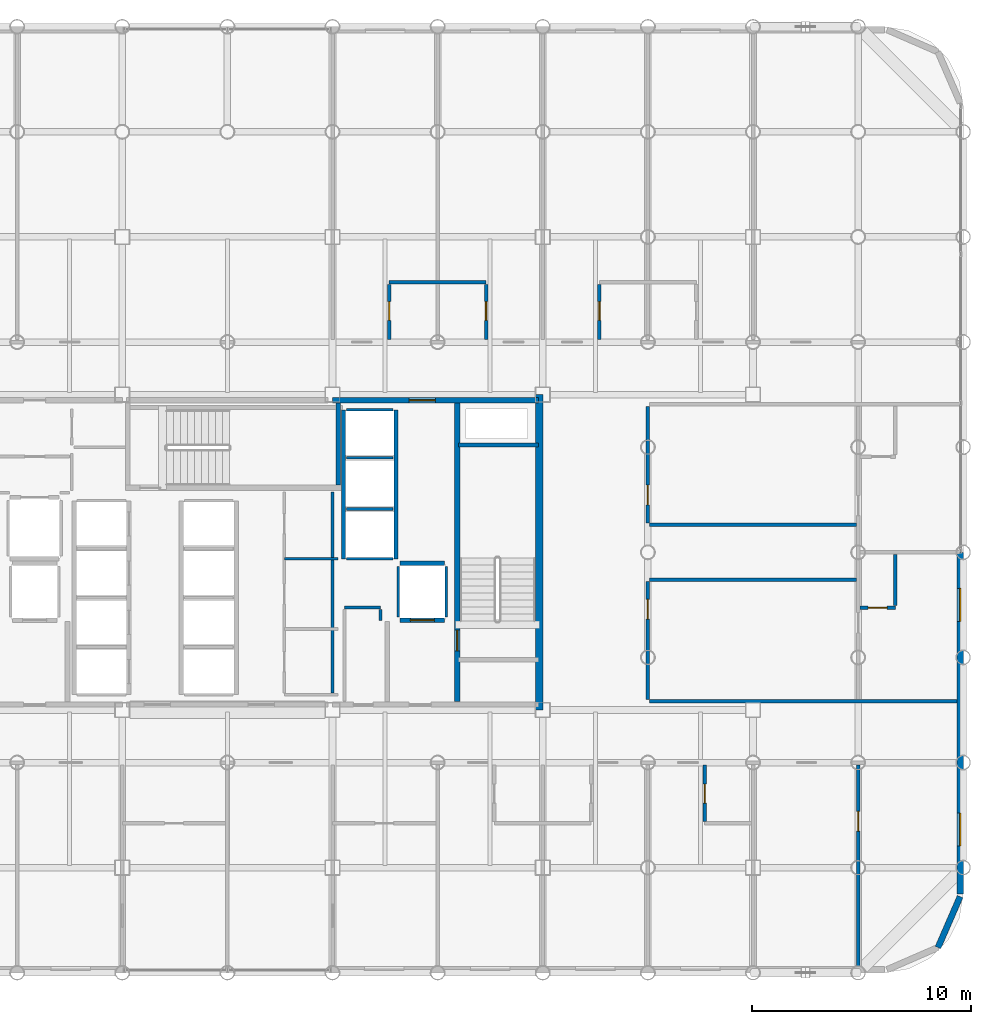
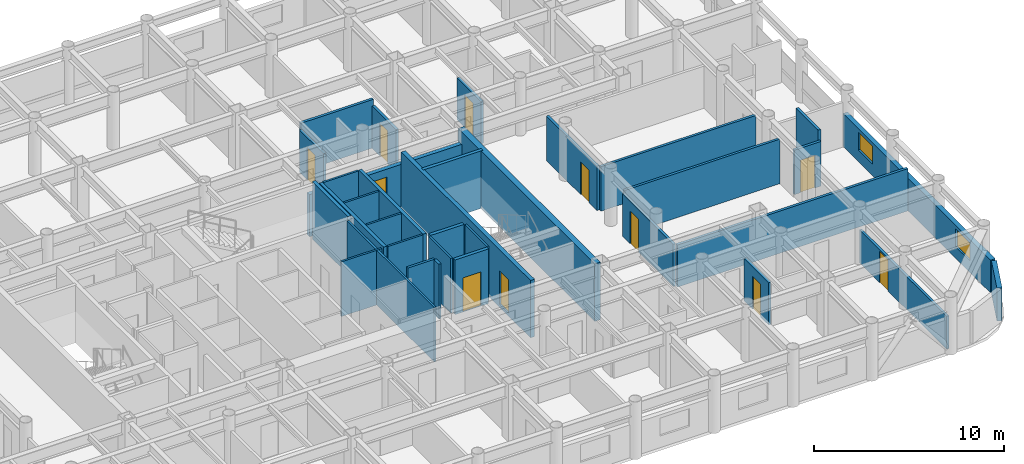
# One storey, part 20 of 22: 34 walls, 11 doors, 2 windows, 13 openings.
"""IFC4 building model written with IfcOpenShell, lengths in metres."""

from ifc_helpers import new_model, si_unit, direction, frame, frame_2d, origin, place, context, subcontext, project, spatial, rectangle, extrude, material, layer, layer_set, type_object, element, fill, save


model = new_model("IFC4")

# Units and contexts
model_context = context("Model", 3, precision=1e-05, world=origin(), true_north=direction((0.0, 1.0)))
body_context = subcontext(model_context, "Body", "Model", "MODEL_VIEW")
ifc_project = project(units=[si_unit("LENGTHUNIT", "METRE"), si_unit("AREAUNIT", "SQUARE_METRE"), si_unit("VOLUMEUNIT", "CUBIC_METRE"), si_unit("PLANEANGLEUNIT", "RADIAN"), si_unit("MASSUNIT", "GRAM", prefix="KILO")], contexts=[model_context])

# Site, building, storey
site_placement = place(None, origin())
site = spatial("IfcSite", under=ifc_project, at=site_placement, CompositionType="ELEMENT")
building_placement = place(site_placement, origin())
building = spatial("IfcBuilding", under=site, at=building_placement, Name="Kallvorn Hotel Tower", CompositionType="ELEMENT")
storey_placement = place(building_placement, frame((0.0, 0.0, 117.39990234375)))
storey = spatial("IfcBuildingStorey", under=building, at=storey_placement, Name="L28", CompositionType="ELEMENT", Elevation=117.39990234375)

# Walls
ifc_material_1 = material(Name="Concrete C50/60", Category="concrete")
ifc_layer_1 = layer(ifc_material_1, 0.35009765625)
ifc_layer_set_1 = layer_set([ifc_layer_1], Name="WL_CORE_350")
wall_type_1 = type_object("IfcWallType", Name="WL_CORE_350", PredefinedType="SHEAR", material=ifc_layer_set_1)
wall_1_placement = place(storey_placement, frame((14.239990234375, -7.199951171875, -0.179931640625), z_axis=(0.0, 0.0, 1.0), x_axis=(0.0, 1.0, 0.0)))
element("IfcWall", 1, at=wall_1_placement, inside=storey, type_object=wall_type_1, Name="L28 Core East Shear Wall", PredefinedType="SHEAR", context=body_context, shape_type="SweptSolid", body=[
    extrude(rectangle(XDim=14.39990234375, YDim=0.35009765625, at=frame_2d((7.199951171875, 0.0))), origin(), (0.0, 0.0, 1.0), 3.699951171875),
])
ifc_material_2 = material(Name="Fire-rated double-layer acoustic gypsum drywall EI 60")
ifc_layer_2 = layer(ifc_material_2, 0.159912109375)
ifc_layer_set_2 = layer_set([ifc_layer_2], Name="WL_DEMISE_160")
wall_type_2 = type_object("IfcWallType", Name="WL_DEMISE_160", PredefinedType="PARTITIONING", material=ifc_layer_set_2)
wall_2_placement = place(storey_placement, frame((19.280029296875, -6.800048828125, 0.0), z_axis=(0.0, 0.0, 1.0), x_axis=(1.0, 0.0, 0.0)))
element("IfcWall", 2, at=wall_2_placement, inside=storey, type_object=wall_type_2, Name="L28 Suite 2801 E Loggia King Room Partition", PredefinedType="PARTITIONING", context=body_context, shape_type="SweptSolid", body=[
    extrude(rectangle(XDim=14.030029296875, YDim=0.159912109375, at=frame_2d((7.01513671875, 0.0))), origin(), (0.0, 0.0, 1.0), 2.72021484375),
])

# Wall, opening, door
wall_3_placement = place(storey_placement, frame((28.8798828125, -2.52490234375, 0.0), z_axis=(0.0, 0.0, 1.0), x_axis=(1.0, 0.0, 0.0)))
wall_3 = element("IfcWall", 3, at=wall_3_placement, inside=storey, type_object=wall_type_2, Name="L28 Suite 2801 E Loggia King Room Partition", PredefinedType="PARTITIONING", context=body_context, shape_type="SweptSolid", body=[
    extrude(rectangle(XDim=1.6201171875, YDim=0.159912109375, at=frame_2d((0.81005859375, 0.0))), origin(), (0.0, 0.0, 1.0), 2.8701171875),
])
opening_1_placement = place(wall_3_placement, frame((0.3798828125, 0.0, 0.0)))
opening_1 = element("IfcOpeningElement", 4, at=opening_1_placement, cuts=wall_3, Name="Opening BD-I", PredefinedType="OPENING", context=body_context, shape_type="SweptSolid", body=[
    extrude(rectangle(XDim=0.860107421875, YDim=2.10009765625, at=frame_2d((0.43017578125, 1.050048828125))), frame((0.0, 0.094970703125, 0.0), z_axis=(0.0, -1.0, 0.0), x_axis=(1.0, 0.0, 0.0)), (0.0, 0.0, 1.0), 0.18994140625),
])
ifc_material_3 = material(Name="Solid-core walnut veneer fire-rated timber door leaf", Category="wood")
door_type_1 = type_object("IfcDoorType", Name="DR_BATH_860x2100", OperationType="NOTDEFINED", PredefinedType="DOOR", material=ifc_material_3)
door_1_placement = place(opening_1_placement, origin())
door_1 = element("IfcDoor", 5, at=door_1_placement, inside=storey, type_object=door_type_1, Name="L28 Suite 2801 En-Suite Bathroom Door", OperationType="SINGLE_SWING_LEFT", OverallHeight=2.10009765625, OverallWidth=0.860107421875, PredefinedType="DOOR", context=body_context, shape_type="SweptSolid", body=[
    extrude(rectangle(XDim=0.860107421875, YDim=2.10009765625, at=frame_2d((0.43017578125, 1.050048828125))), frame((0.0, 0.02490234375, 0.0), z_axis=(0.0, -1.0, 0.0), x_axis=(1.0, 0.0, 0.0)), (0.0, 0.0, 1.0), 0.050048828125),
])
fill(opening_1, door_1)

# Wall
wall_4_placement = place(storey_placement, frame((7.389892578125, 12.320068359375, 0.0), z_axis=(0.0, 0.0, 1.0), x_axis=(1.0, 0.0, 0.0)))
element("IfcWall", 6, at=wall_4_placement, inside=storey, type_object=wall_type_2, Name="L28 Suite 2809 Standard Twin Room Partition", PredefinedType="PARTITIONING", context=body_context, shape_type="SweptSolid", body=[
    extrude(rectangle(XDim=4.420166015625, YDim=0.159912109375, at=frame_2d((2.2099609375, 0.0))), origin(), (0.0, 0.0, 1.0), 3.1201171875),
])

# Wall, opening, door
wall_5_placement = place(storey_placement, frame((7.389892578125, 9.719970703125, 0.0), z_axis=(0.0, 0.0, 1.0), x_axis=(0.0, 1.0, 0.0)))
wall_5 = element("IfcWall", 7, at=wall_5_placement, inside=storey, type_object=wall_type_2, Name="L28 Suite 2809 Standard Twin Room Partition", PredefinedType="PARTITIONING", context=body_context, shape_type="SweptSolid", body=[
    extrude(rectangle(XDim=2.51513671875, YDim=0.159912109375, at=frame_2d((1.257568359375, 0.0))), origin(), (0.0, 0.0, 1.0), 2.72021484375),
])
opening_2_placement = place(wall_5_placement, frame((0.8701171875, 0.0, 0.0)))
opening_2 = element("IfcOpeningElement", 8, at=opening_2_placement, cuts=wall_5, Name="Opening BD-I", PredefinedType="OPENING", context=body_context, shape_type="SweptSolid", body=[
    extrude(rectangle(XDim=0.860107421875, YDim=2.10009765625, at=frame_2d((0.43017578125, 1.050048828125))), frame((0.0, 0.094970703125, 0.0), z_axis=(0.0, -1.0, 0.0), x_axis=(1.0, 0.0, 0.0)), (0.0, 0.0, 1.0), 0.18994140625),
])
door_2_placement = place(opening_2_placement, origin())
door_2 = element("IfcDoor", 9, at=door_2_placement, inside=storey, type_object=door_type_1, Name="L28 Suite 2809 En-Suite Bathroom Door", OperationType="SINGLE_SWING_RIGHT", OverallHeight=2.10009765625, OverallWidth=0.860107421875, PredefinedType="DOOR", context=body_context, shape_type="SweptSolid", body=[
    extrude(rectangle(XDim=0.860107421875, YDim=2.10009765625, at=frame_2d((0.43017578125, 1.050048828125))), frame((0.0, 0.02490234375, 0.0), z_axis=(0.0, -1.0, 0.0), x_axis=(1.0, 0.0, 0.0)), (0.0, 0.0, 1.0), 0.050048828125),
])
fill(opening_2, door_2)

wall_6_placement = place(storey_placement, frame((11.81005859375, 9.719970703125, 0.0), z_axis=(0.0, 0.0, 1.0), x_axis=(0.0, 1.0, 0.0)))
wall_6 = element("IfcWall", 10, at=wall_6_placement, inside=storey, type_object=wall_type_2, Name="L28 Suite 2810 Standard Twin Room Partition", PredefinedType="PARTITIONING", context=body_context, shape_type="SweptSolid", body=[
    extrude(rectangle(XDim=2.51513671875, YDim=0.159912109375, at=frame_2d((1.257568359375, 0.0))), origin(), (0.0, 0.0, 1.0), 2.72021484375),
])
opening_3_placement = place(wall_6_placement, frame((0.8701171875, 0.0, 0.0)))
opening_3 = element("IfcOpeningElement", 11, at=opening_3_placement, cuts=wall_6, Name="Opening BD-I", PredefinedType="OPENING", context=body_context, shape_type="SweptSolid", body=[
    extrude(rectangle(XDim=0.860107421875, YDim=2.10009765625, at=frame_2d((0.43017578125, 1.050048828125))), frame((0.0, 0.094970703125, 0.0), z_axis=(0.0, -1.0, 0.0), x_axis=(1.0, 0.0, 0.0)), (0.0, 0.0, 1.0), 0.18994140625),
])
door_3_placement = place(opening_3_placement, origin())
door_3 = element("IfcDoor", 12, at=door_3_placement, inside=storey, type_object=door_type_1, Name="L28 Suite 2810 En-Suite Bathroom Door", OperationType="SINGLE_SWING_LEFT", OverallHeight=2.10009765625, OverallWidth=0.860107421875, PredefinedType="DOOR", context=body_context, shape_type="SweptSolid", body=[
    extrude(rectangle(XDim=0.860107421875, YDim=2.10009765625, at=frame_2d((0.43017578125, 1.050048828125))), frame((0.0, 0.02490234375, 0.0), z_axis=(0.0, -1.0, 0.0), x_axis=(1.0, 0.0, 0.0)), (0.0, 0.0, 1.0), 0.050048828125),
])
fill(opening_3, door_3)

wall_7_placement = place(storey_placement, frame((16.989990234375, 9.719970703125, 0.0), z_axis=(0.0, 0.0, 1.0), x_axis=(0.0, 1.0, 0.0)))
wall_7 = element("IfcWall", 13, at=wall_7_placement, inside=storey, type_object=wall_type_2, Name="L28 Suite 2811 Standard Twin Room Partition", PredefinedType="PARTITIONING", context=body_context, shape_type="SweptSolid", body=[
    extrude(rectangle(XDim=2.51513671875, YDim=0.159912109375, at=frame_2d((1.257568359375, 0.0))), origin(), (0.0, 0.0, 1.0), 2.72021484375),
])
opening_4_placement = place(wall_7_placement, frame((0.8701171875, 0.0, 0.0)))
opening_4 = element("IfcOpeningElement", 14, at=opening_4_placement, cuts=wall_7, Name="Opening BD-I", PredefinedType="OPENING", context=body_context, shape_type="SweptSolid", body=[
    extrude(rectangle(XDim=0.860107421875, YDim=2.10009765625, at=frame_2d((0.43017578125, 1.050048828125))), frame((0.0, 0.094970703125, 0.0), z_axis=(0.0, -1.0, 0.0), x_axis=(1.0, 0.0, 0.0)), (0.0, 0.0, 1.0), 0.18994140625),
])
door_4_placement = place(opening_4_placement, origin())
door_4 = element("IfcDoor", 15, at=door_4_placement, inside=storey, type_object=door_type_1, Name="L28 Suite 2811 En-Suite Bathroom Door", OperationType="SINGLE_SWING_LEFT", OverallHeight=2.10009765625, OverallWidth=0.860107421875, PredefinedType="DOOR", context=body_context, shape_type="SweptSolid", body=[
    extrude(rectangle(XDim=0.860107421875, YDim=2.10009765625, at=frame_2d((0.43017578125, 1.050048828125))), frame((0.0, 0.02490234375, 0.0), z_axis=(0.0, -1.0, 0.0), x_axis=(1.0, 0.0, 0.0)), (0.0, 0.0, 1.0), 0.050048828125),
])
fill(opening_4, door_4)

wall_8_placement = place(storey_placement, frame((21.7900390625, -12.294921875, 0.0), z_axis=(0.0, 0.0, 1.0), x_axis=(0.0, 1.0, 0.0)))
wall_8 = element("IfcWall", 16, at=wall_8_placement, inside=storey, type_object=wall_type_2, Name="L28 Suite 2807 Deluxe King Room Partition", PredefinedType="PARTITIONING", context=body_context, shape_type="SweptSolid", body=[
    extrude(rectangle(XDim=2.574951171875, YDim=0.159912109375, at=frame_2d((1.28759765625, 0.0))), origin(), (0.0, 0.0, 1.0), 2.72021484375),
])
opening_5_placement = place(wall_8_placement, frame((0.844970703125, 0.0, 0.0)))
opening_5 = element("IfcOpeningElement", 17, at=opening_5_placement, cuts=wall_8, Name="Opening BD-I", PredefinedType="OPENING", context=body_context, shape_type="SweptSolid", body=[
    extrude(rectangle(XDim=0.860107421875, YDim=2.10009765625, at=frame_2d((0.43017578125, 1.050048828125))), frame((0.0, 0.094970703125, 0.0), z_axis=(0.0, -1.0, 0.0), x_axis=(1.0, 0.0, 0.0)), (0.0, 0.0, 1.0), 0.18994140625),
])
door_5_placement = place(opening_5_placement, origin())
door_5 = element("IfcDoor", 18, at=door_5_placement, inside=storey, type_object=door_type_1, Name="L28 Suite 2807 En-Suite Bathroom Door", OperationType="SINGLE_SWING_RIGHT", OverallHeight=2.10009765625, OverallWidth=0.860107421875, PredefinedType="DOOR", context=body_context, shape_type="SweptSolid", body=[
    extrude(rectangle(XDim=0.860107421875, YDim=2.10009765625, at=frame_2d((0.43017578125, 1.050048828125))), frame((0.0, 0.02490234375, 0.0), z_axis=(0.0, -1.0, 0.0), x_axis=(1.0, 0.0, 0.0)), (0.0, 0.0, 1.0), 0.050048828125),
])
fill(opening_5, door_5)

# Walls
wall_9_placement = place(storey_placement, frame((30.5, -2.43994140625, 0.0), z_axis=(0.0, 0.0, 1.0), x_axis=(0.0, 1.0, 0.0)))
element("IfcWall", 19, at=wall_9_placement, inside=storey, type_object=wall_type_2, Name="L28 Suite 2801 E Loggia King Room Partition", PredefinedType="PARTITIONING", context=body_context, shape_type="SweptSolid", body=[
    extrude(rectangle(XDim=2.33984375, YDim=0.159912109375, at=frame_2d((1.169921875, 0.0))), origin(), (0.0, 0.0, 1.0), 3.52001953125),
])
ifc_material_4 = material(Name="Precast basalt-clad insulated concrete wall C40/50", Category="masonry")
ifc_layer_3 = layer(ifc_material_4, 0.280029296875)
ifc_layer_set_3 = layer_set([ifc_layer_3], Name="WL_EXT_LOGGIA_280")
wall_type_3 = type_object("IfcWallType", Name="WL_EXT_LOGGIA_280", PredefinedType="SOLIDWALL", material=ifc_layer_set_3)
wall_10_placement = place(storey_placement, frame((32.446533203125, -18.046630859375, 0.0), z_axis=(0.0, 0.0, 1.0), x_axis=(0.398792985289, 0.917040977756, 0.0)))
element("IfcWall", 20, at=wall_10_placement, inside=storey, type_object=wall_type_3, Name="L28 Rounded Corner Exterior Wall SE2", PredefinedType="SOLIDWALL", context=body_context, shape_type="SweptSolid", body=[
    extrude(rectangle(XDim=2.536376953125, YDim=0.280029296875, at=frame_2d((1.26806640625, 0.0))), origin(), (0.0, 0.0, 1.0), 2.1201171875),
])

# Wall, openings, windows
wall_11_placement = place(storey_placement, frame((33.4599609375, -15.60009765625, 0.0), z_axis=(0.0, 0.0, 1.0), x_axis=(0.0, 1.0, 0.0)))
wall_11 = element("IfcWall", 21, at=wall_11_placement, inside=storey, type_object=wall_type_3, Name="L28 Exterior Envelope Wall EW-L28-ES", PredefinedType="SOLIDWALL", context=body_context, shape_type="SweptSolid", body=[
    extrude(rectangle(XDim=15.580078125, YDim=0.280029296875, at=frame_2d((7.7900390625, 0.0))), origin(), (0.0, 0.0, 1.0), 2.1201171875),
])
opening_6_placement = place(wall_11_placement, frame((2.18994140625, 0.0, 0.75)))
opening_6 = element("IfcOpeningElement", 22, at=opening_6_placement, cuts=wall_11, Name="Opening W05A", PredefinedType="OPENING", context=body_context, shape_type="SweptSolid", body=[
    extrude(rectangle(XDim=1.5, YDim=1.14990234375, at=frame_2d((0.75, 0.574951171875))), frame((0.0, 0.155029296875, 0.0), z_axis=(0.0, -1.0, 0.0), x_axis=(1.0, 0.0, 0.0)), (0.0, 0.0, 1.0), 0.31005859375),
])
opening_7_placement = place(wall_11_placement, frame((12.449951171875, 0.0, 0.75)))
opening_7 = element("IfcOpeningElement", 23, at=opening_7_placement, cuts=wall_11, Name="Opening W05A", PredefinedType="OPENING", context=body_context, shape_type="SweptSolid", body=[
    extrude(rectangle(XDim=1.5, YDim=1.14990234375, at=frame_2d((0.75, 0.574951171875))), frame((0.0, 0.155029296875, 0.0), z_axis=(0.0, -1.0, 0.0), x_axis=(1.0, 0.0, 0.0)), (0.0, 0.0, 1.0), 0.31005859375),
])
ifc_material_5 = material(Name="Double-glazed low-e solar-control dark glass", Category="glass")
window_type = type_object("IfcWindowType", Name="WN_HTL_1500x1150", PartitioningType="SINGLE_PANEL", PredefinedType="WINDOW", material=ifc_material_5)
window_1_placement = place(opening_6_placement, origin())
window_1 = element("IfcWindow", 24, at=window_1_placement, inside=storey, type_object=window_type, Name="L28 Flank Wing Window 02", OverallHeight=1.14990234375, OverallWidth=1.5, PartitioningType="SINGLE_PANEL", PredefinedType="WINDOW", context=body_context, shape_type="SweptSolid", body=[
    extrude(rectangle(XDim=1.5, YDim=1.14990234375, at=frame_2d((0.75, 0.574951171875))), frame((0.0, 0.030029296875, 0.0), z_axis=(0.0, -1.0, 0.0), x_axis=(1.0, 0.0, 0.0)), (0.0, 0.0, 1.0), 0.06005859375),
])
fill(opening_6, window_1)
window_2_placement = place(opening_7_placement, origin())
window_2 = element("IfcWindow", 25, at=window_2_placement, inside=storey, type_object=window_type, Name="L28 Flank Wing Window 03", OverallHeight=1.14990234375, OverallWidth=1.5, PartitioningType="SINGLE_PANEL", PredefinedType="WINDOW", context=body_context, shape_type="SweptSolid", body=[
    extrude(rectangle(XDim=1.5, YDim=1.14990234375, at=frame_2d((0.75, 0.574951171875))), frame((0.0, 0.030029296875, 0.0), z_axis=(0.0, -1.0, 0.0), x_axis=(1.0, 0.0, 0.0)), (0.0, 0.0, 1.0), 0.06005859375),
])
fill(opening_7, window_2)

# Walls
ifc_material_6 = material(Name="Concrete C40/50", Category="concrete")
ifc_layer_4 = layer(ifc_material_6, 0.199951171875)
ifc_layer_set_4 = layer_set([ifc_layer_4], Name="WL_HOIST_200")
wall_type_4 = type_object("IfcWallType", Name="WL_HOIST_200", PredefinedType="SOLIDWALL", material=ifc_layer_set_4)
wall_12_placement = place(storey_placement, frame((10.550048828125, 4.89990234375, -0.179931640625), z_axis=(0.0, 0.0, 1.0), x_axis=(1.0, 0.0, 0.0)))
element("IfcWall", 26, at=wall_12_placement, inside=storey, type_object=wall_type_4, Name="L28 Stair ST2 North Wall", PredefinedType="SOLIDWALL", context=body_context, shape_type="SweptSolid", body=[
    extrude(rectangle(XDim=3.64990234375, YDim=0.199951171875, at=frame_2d((1.824951171875, 0.0))), origin(), (0.0, 0.0, 1.0), 3.699951171875),
])
wall_13_placement = place(storey_placement, frame((5.06005859375, 3.080078125, -0.179931640625), z_axis=(0.0, 0.0, 1.0), x_axis=(0.0, 1.0, 0.0)))
element("IfcWall", 27, at=wall_13_placement, inside=storey, type_object=wall_type_4, Name="L28 Stair ST3 East Wall", PredefinedType="SOLIDWALL", context=body_context, shape_type="SweptSolid", body=[
    extrude(rectangle(XDim=3.739990234375, YDim=0.199951171875, at=frame_2d((1.8701171875, 0.0))), origin(), (0.0, 0.0, 1.0), 3.699951171875),
])
for number, where, z_axis, x_axis, name in (
    (28, (7.699951171875, -0.300048828125, 0.0), (0.0, 0.0, 1.0), (0.0, 1.0, 0.0), "L28 Lift Bank OBS Landing Wall"),
    (29, (5.300048828125, -0.300048828125, 0.0), (0.0, 0.0, 1.0), (0.0, 1.0, 0.0), "L28 Lift Bank OBS Rear Shaft Wall"),
):
    element("IfcWall", number, at=place(storey_placement, frame(where, z_axis=z_axis, x_axis=x_axis)), inside=storey, type_object=wall_type_4, Name=name, PredefinedType="SOLIDWALL", context=body_context, shape_type="SweptSolid", body=[
        extrude(rectangle(XDim=6.800048828125, YDim=0.199951171875, at=frame_2d((3.39990234375, 0.0))), origin(), (0.0, 0.0, 1.0), 3.52001953125),
    ])

# Wall, opening, door
wall_14_placement = place(storey_placement, frame((7.8798828125, -3.10009765625, 0.0), z_axis=(0.0, 0.0, 1.0), x_axis=(1.0, 0.0, 0.0)))
wall_14 = element("IfcWall", 30, at=wall_14_placement, inside=storey, type_object=wall_type_4, Name="L28 FL-2 Landing Wall", PredefinedType="SOLIDWALL", context=body_context, shape_type="SweptSolid", body=[
    extrude(rectangle(XDim=2.0400390625, YDim=0.199951171875, at=frame_2d((1.02001953125, 0.0))), origin(), (0.0, 0.0, 1.0), 3.52001953125),
])
opening_8_placement = place(wall_14_placement, frame((0.469970703125, 0.0, 0.0)))
opening_8 = element("IfcOpeningElement", 31, at=opening_8_placement, cuts=wall_14, Name="Opening LD-FL-2", PredefinedType="OPENING", context=body_context, shape_type="SweptSolid", body=[
    extrude(rectangle(XDim=1.10009765625, YDim=2.199951171875, at=frame_2d((0.550048828125, 1.10009765625))), frame((0.0, 0.114990234375, 0.0), z_axis=(0.0, -1.0, 0.0), x_axis=(1.0, 0.0, 0.0)), (0.0, 0.0, 1.0), 0.22998046875),
])
ifc_material_7 = material(Name="Brushed stainless-steel automatic sliding lift landing door", Category="steel")
door_type_2 = type_object("IfcDoorType", Name="LD_PASS_1100x2200", OperationType="SLIDING_TO_LEFT", PredefinedType="DOOR", material=ifc_material_7)
door_6_placement = place(opening_8_placement, origin())
door_6 = element("IfcDoor", 32, at=door_6_placement, inside=storey, type_object=door_type_2, Name="L28 Lift Landing Sliding Door LD-FL-2", OperationType="SLIDING_TO_LEFT", OverallHeight=2.199951171875, OverallWidth=1.10009765625, PredefinedType="DOOR", context=body_context, shape_type="SweptSolid", body=[
    extrude(rectangle(XDim=1.10009765625, YDim=2.199951171875, at=frame_2d((0.550048828125, 1.10009765625))), frame((0.0, 0.02490234375, 0.0), z_axis=(0.0, -1.0, 0.0), x_axis=(1.0, 0.0, 0.0)), (0.0, 0.0, 1.0), 0.050048828125),
])
fill(opening_8, door_6)

# Walls
wall_15_placement = place(storey_placement, frame((7.8798828125, -0.5, 0.0), z_axis=(0.0, 0.0, 1.0), x_axis=(1.0, 0.0, 0.0)))
element("IfcWall", 33, at=wall_15_placement, inside=storey, type_object=wall_type_4, Name="L28 FL-2 Rear Shaft Wall", PredefinedType="SOLIDWALL", context=body_context, shape_type="SweptSolid", body=[
    extrude(rectangle(XDim=2.0400390625, YDim=0.199951171875, at=frame_2d((1.02001953125, 0.0))), origin(), (0.0, 0.0, 1.0), 3.52001953125),
])
ifc_material_8 = material(Name="Fire-rated double-layer acoustic gypsum drywall EI 60")
ifc_layer_5 = layer(ifc_material_8, 0.1201171875)
ifc_layer_set_5 = layer_set([ifc_layer_5], Name="WL_INT_120")
wall_type_5 = type_object("IfcWallType", Name="WL_INT_120", PredefinedType="PARTITIONING", material=ifc_layer_set_5)
for number, where, z_axis, x_axis, name in (
    (34, (5.43994140625, -0.300048828125, 0.0), (0.0, 0.0, 1.0), (1.0, 0.0, 0.0), "L28 Lift Bank OBS South Closure Wall"),
    (35, (5.43994140625, 1.97509765625, 0.0), (0.0, 0.0, 1.0), (1.0, 0.0, 0.0), "L28 OB-01 Hoistway Divider"),
    (36, (5.43994140625, 4.324951171875, 0.0), (0.0, 0.0, 1.0), (1.0, 0.0, 0.0), "L28 OB-02 Hoistway Divider"),
    (37, (5.43994140625, 6.5, 0.0), (0.0, 0.0, 1.0), (1.0, 0.0, 0.0), "L28 OB-03 Hoistway Divider"),
):
    element("IfcWall", number, at=place(storey_placement, frame(where, z_axis=z_axis, x_axis=x_axis)), inside=storey, type_object=wall_type_5, Name=name, PredefinedType="PARTITIONING", context=body_context, shape_type="SweptSolid", body=[
        extrude(rectangle(XDim=2.1201171875, YDim=0.1201171875, at=frame_2d((1.06005859375, 0.0))), origin(), (0.0, 0.0, 1.0), 3.52001953125),
    ])
for number, where, z_axis, x_axis, name in (
    (38, (7.800048828125, -2.9599609375, 0.0), (0.0, 0.0, 1.0), (0.0, 1.0, 0.0), "L28 FL-2 West Shaft Wall"),
    (39, (10.0, -2.9599609375, 0.0), (0.0, 0.0, 1.0), (0.0, 1.0, 0.0), "L28 FL-2 East Shaft Wall"),
):
    element("IfcWall", number, at=place(storey_placement, frame(where, z_axis=z_axis, x_axis=x_axis)), inside=storey, type_object=wall_type_5, Name=name, PredefinedType="PARTITIONING", context=body_context, shape_type="SweptSolid", body=[
        extrude(rectangle(XDim=2.320068359375, YDim=0.1201171875, at=frame_2d((1.16015625, 0.0))), origin(), (0.0, 0.0, 1.0), 3.52001953125),
    ])
wall_16_placement = place(storey_placement, frame((2.60009765625, -0.300048828125, 0.0), z_axis=(0.0, 0.0, 1.0), x_axis=(1.0, 0.0, 0.0)))
element("IfcWall", 40, at=wall_16_placement, inside=storey, type_object=wall_type_5, Name="L28 East Core Cleaners Room Partition", PredefinedType="PARTITIONING", context=body_context, shape_type="SweptSolid", body=[
    extrude(rectangle(XDim=2.449951171875, YDim=0.1201171875, at=frame_2d((1.22509765625, 0.0))), origin(), (0.0, 0.0, 1.0), 3.52001953125),
])
wall_17_placement = place(storey_placement, frame((4.800048828125, -6.4150390625, 0.0), z_axis=(0.0, 0.0, 1.0), x_axis=(0.0, 1.0, 0.0)))
element("IfcWall", 41, at=wall_17_placement, inside=storey, type_object=wall_type_5, Name="L28 East Core Minibar Store Partition", PredefinedType="PARTITIONING", context=body_context, shape_type="SweptSolid", body=[
    extrude(rectangle(XDim=9.1650390625, YDim=0.1201171875, at=frame_2d((4.58251953125, 0.0))), origin(), (0.0, 0.0, 1.0), 3.52001953125),
])
ifc_material_9 = material(Name="Fire-rated double-layer acoustic gypsum drywall EI 60")
ifc_layer_6 = layer(ifc_material_9, 0.14990234375)
ifc_layer_set_6 = layer_set([ifc_layer_6], Name="WL_PART_150")
wall_type_6 = type_object("IfcWallType", Name="WL_PART_150", PredefinedType="PARTITIONING", material=ifc_layer_set_6)
for number, where, z_axis, x_axis, name in (
    (42, (19.280029296875, -1.260009765625, 0.0), (0.0, 0.0, 1.0), (1.0, 0.0, 0.0), "L28 L28 East Inner Club Bar Partition"),
    (43, (19.280029296875, 1.260009765625, 0.0), (0.0, 0.0, 1.0), (1.0, 0.0, 0.0), "L28 L28 East Inner Screening Salon Partition"),
):
    element("IfcWall", number, at=place(storey_placement, frame(where, z_axis=z_axis, x_axis=x_axis)), inside=storey, type_object=wall_type_6, Name=name, PredefinedType="PARTITIONING", context=body_context, shape_type="SweptSolid", body=[
        extrude(rectangle(XDim=9.43994140625, YDim=0.14990234375, at=frame_2d((4.719970703125, 0.0))), origin(), (0.0, 0.0, 1.0), 2.8701171875),
    ])

# Wall, opening, door
wall_18_placement = place(storey_placement, frame((19.199951171875, -6.715087890625, 0.0), z_axis=(0.0, 0.0, 1.0), x_axis=(0.0, 1.0, 0.0)))
wall_18 = element("IfcWall", 44, at=wall_18_placement, inside=storey, type_object=wall_type_6, Name="L28 L28 East Inner Club Bar Partition", PredefinedType="PARTITIONING", context=body_context, shape_type="SweptSolid", body=[
    extrude(rectangle(XDim=5.3701171875, YDim=0.14990234375, at=frame_2d((2.68505859375, 0.0))), origin(), (0.0, 0.0, 1.0), 2.72021484375),
])
opening_9_placement = place(wall_18_placement, frame((3.66015625, 0.0, 0.0)))
opening_9 = element("IfcOpeningElement", 45, at=opening_9_placement, cuts=wall_18, Name="Opening SVD1", PredefinedType="OPENING", context=body_context, shape_type="SweptSolid", body=[
    extrude(rectangle(XDim=0.89990234375, YDim=2.10009765625, at=frame_2d((0.449951171875, 1.050048828125))), frame((0.0, 0.08984375, 0.0), z_axis=(0.0, -1.0, 0.0), x_axis=(1.0, 0.0, 0.0)), (0.0, 0.0, 1.0), 0.179931640625),
])
ifc_material_10 = material(Name="Galvanised painted steel fire-rated door assembly", Category="steel")
door_type_3 = type_object("IfcDoorType", Name="DR_SERV_900x2100", OperationType="NOTDEFINED", PredefinedType="DOOR", material=ifc_material_10)
door_7_placement = place(opening_9_placement, origin())
door_7 = element("IfcDoor", 46, at=door_7_placement, inside=storey, type_object=door_type_3, Name="L28 L28 East Inner Club Bar Door", OperationType="SINGLE_SWING_RIGHT", OverallHeight=2.10009765625, OverallWidth=0.89990234375, PredefinedType="DOOR", context=body_context, shape_type="SweptSolid", body=[
    extrude(rectangle(XDim=0.89990234375, YDim=2.10009765625, at=frame_2d((0.449951171875, 1.050048828125))), frame((0.0, 0.02490234375, 0.0), z_axis=(0.0, -1.0, 0.0), x_axis=(1.0, 0.0, 0.0)), (0.0, 0.0, 1.0), 0.050048828125),
])
fill(opening_9, door_7)

wall_19_placement = place(storey_placement, frame((19.199951171875, 1.344970703125, 0.0), z_axis=(0.0, 0.0, 1.0), x_axis=(0.0, 1.0, 0.0)))
wall_19 = element("IfcWall", 47, at=wall_19_placement, inside=storey, type_object=wall_type_6, Name="L28 L28 East Inner Screening Salon Partition", PredefinedType="PARTITIONING", context=body_context, shape_type="SweptSolid", body=[
    extrude(rectangle(XDim=5.320068359375, YDim=0.14990234375, at=frame_2d((2.66015625, 0.0))), origin(), (0.0, 0.0, 1.0), 2.8701171875),
])
opening_10_placement = place(wall_19_placement, frame((0.81689453125, 0.0, 0.0)))
opening_10 = element("IfcOpeningElement", 48, at=opening_10_placement, cuts=wall_19, Name="Opening SVD1", PredefinedType="OPENING", context=body_context, shape_type="SweptSolid", body=[
    extrude(rectangle(XDim=0.89990234375, YDim=2.10009765625, at=frame_2d((0.449951171875, 1.050048828125))), frame((0.0, 0.08984375, 0.0), z_axis=(0.0, -1.0, 0.0), x_axis=(1.0, 0.0, 0.0)), (0.0, 0.0, 1.0), 0.179931640625),
])
door_8_placement = place(opening_10_placement, origin())
door_8 = element("IfcDoor", 49, at=door_8_placement, inside=storey, type_object=door_type_3, Name="L28 L28 East Inner Screening Salon Door", OperationType="SINGLE_SWING_LEFT", OverallHeight=2.10009765625, OverallWidth=0.89990234375, PredefinedType="DOOR", context=body_context, shape_type="SweptSolid", body=[
    extrude(rectangle(XDim=0.89990234375, YDim=2.10009765625, at=frame_2d((0.449951171875, 1.050048828125))), frame((0.0, 0.02490234375, 0.0), z_axis=(0.0, -1.0, 0.0), x_axis=(1.0, 0.0, 0.0)), (0.0, 0.0, 1.0), 0.050048828125),
])
fill(opening_10, door_8)

wall_20_placement = place(storey_placement, frame((28.800048828125, -18.909912109375, 0.0), z_axis=(0.0, 0.0, 1.0), x_axis=(0.0, 1.0, 0.0)))
wall_20 = element("IfcWall", 50, at=wall_20_placement, inside=storey, type_object=wall_type_6, Name="L28 L28 South-East Sommelier Bar A Partition", PredefinedType="PARTITIONING", context=body_context, shape_type="SweptSolid", body=[
    extrude(rectangle(XDim=9.18994140625, YDim=0.14990234375, at=frame_2d((4.594970703125, 0.0))), origin(), (0.0, 0.0, 1.0), 2.1201171875),
])
opening_11_placement = place(wall_20_placement, frame((6.18212890625, 0.0, 0.0)))
opening_11 = element("IfcOpeningElement", 51, at=opening_11_placement, cuts=wall_20, Name="Opening SVD1A", PredefinedType="OPENING", context=body_context, shape_type="SweptSolid", body=[
    extrude(rectangle(XDim=0.89990234375, YDim=2.02001953125, at=frame_2d((0.449951171875, 1.010009765625))), frame((0.0, 0.08984375, 0.0), z_axis=(0.0, -1.0, 0.0), x_axis=(1.0, 0.0, 0.0)), (0.0, 0.0, 1.0), 0.179931640625),
])
ifc_material_11 = material(Name="Galvanised painted steel fire-rated door assembly", Category="steel")
door_type_4 = type_object("IfcDoorType", Name="DR_SERV_900x2020", OperationType="NOTDEFINED", PredefinedType="DOOR", material=ifc_material_11)
door_9_placement = place(opening_11_placement, origin())
door_9 = element("IfcDoor", 52, at=door_9_placement, inside=storey, type_object=door_type_4, Name="L28 L28 South-East Sommelier Bar B Door", OperationType="SINGLE_SWING_LEFT", OverallHeight=2.02001953125, OverallWidth=0.89990234375, PredefinedType="DOOR", context=body_context, shape_type="SweptSolid", body=[
    extrude(rectangle(XDim=0.89990234375, YDim=2.02001953125, at=frame_2d((0.449951171875, 1.010009765625))), frame((0.0, 0.02490234375, 0.0), z_axis=(0.0, -1.0, 0.0), x_axis=(1.0, 0.0, 0.0)), (0.0, 0.0, 1.0), 0.050048828125),
])
fill(opening_11, door_9)

# Walls
ifc_material_12 = material(Name="Moisture-resistant acoustic plumbing chase wall EI 60")
ifc_layer_7 = layer(ifc_material_12, 0.139892578125)
ifc_layer_set_7 = layer_set([ifc_layer_7], Name="WL_PLUMB_140")
wall_type_7 = type_object("IfcWallType", Name="WL_PLUMB_140", PredefinedType="PLUMBINGWALL", material=ifc_layer_set_7)
wall_21_placement = place(storey_placement, frame((5.35009765625, -2.52490234375, 0.0), z_axis=(0.0, 0.0, 1.0), x_axis=(1.0, 0.0, 0.0)))
element("IfcWall", 53, at=wall_21_placement, inside=storey, type_object=wall_type_7, Name="L28 Core Accessible Staff WC Partition", PredefinedType="PLUMBINGWALL", context=body_context, shape_type="SweptSolid", body=[
    extrude(rectangle(XDim=1.64990234375, YDim=0.139892578125, at=frame_2d((0.824951171875, 0.0))), origin(), (0.0, 0.0, 1.0), 3.52001953125),
])
wall_22_placement = place(storey_placement, frame((7.0, -3.110107421875, 0.0), z_axis=(0.0, 0.0, 1.0), x_axis=(0.0, 1.0, 0.0)))
element("IfcWall", 54, at=wall_22_placement, inside=storey, type_object=wall_type_7, Name="L28 Core Accessible Staff WC Partition", PredefinedType="PLUMBINGWALL", context=body_context, shape_type="SweptSolid", body=[
    extrude(rectangle(XDim=0.5, YDim=0.139892578125, at=frame_2d((0.25, 0.0))), origin(), (0.0, 0.0, 1.0), 3.52001953125),
])

# Wall, opening, door
ifc_material_13 = material(Name="Concrete C40/50", Category="concrete")
ifc_layer_8 = layer(ifc_material_13, 0.25)
ifc_layer_set_8 = layer_set([ifc_layer_8], Name="WL_SHAFT_250")
wall_type_8 = type_object("IfcWallType", Name="WL_SHAFT_250", PredefinedType="SOLIDWALL", material=ifc_layer_set_8)
wall_23_placement = place(storey_placement, frame((4.800048828125, 6.949951171875, 0.0), z_axis=(0.0, 0.0, 1.0), x_axis=(1.0, 0.0, 0.0)))
wall_23 = element("IfcWall", 55, at=wall_23_placement, inside=storey, type_object=wall_type_8, Name="L28 Core North-East Wall", PredefinedType="SOLIDWALL", context=body_context, shape_type="SweptSolid", body=[
    extrude(rectangle(XDim=9.39990234375, YDim=0.25, at=frame_2d((4.699951171875, 0.0))), origin(), (0.0, 0.0, 1.0), 2.72021484375),
])
opening_12_placement = place(wall_23_placement, frame((3.5, 0.0, 0.0)))
opening_12 = element("IfcOpeningElement", 56, at=opening_12_placement, cuts=wall_23, Name="Opening FD2", PredefinedType="OPENING", context=body_context, shape_type="SweptSolid", body=[
    extrude(rectangle(XDim=1.199951171875, YDim=2.199951171875, at=frame_2d((0.60009765625, 1.10009765625))), frame((0.0, 0.139892578125, 0.0), z_axis=(0.0, -1.0, 0.0), x_axis=(1.0, 0.0, 0.0)), (0.0, 0.0, 1.0), 0.280029296875),
])
ifc_material_14 = material(Name="Galvanised painted steel fire-rated door assembly", Category="steel")
door_type_5 = type_object("IfcDoorType", Name="DR_LOBBY_1200x2200", OperationType="DOUBLE_DOOR_SINGLE_SWING", PredefinedType="DOOR", material=ifc_material_14)
door_10_placement = place(opening_12_placement, origin())
door_10 = element("IfcDoor", 57, at=door_10_placement, inside=storey, type_object=door_type_5, Name="L28 Observatory Shuttle Lobby Door", OperationType="DOUBLE_DOOR_SINGLE_SWING", OverallHeight=2.199951171875, OverallWidth=1.199951171875, PredefinedType="DOOR", context=body_context, shape_type="SweptSolid", body=[
    extrude(rectangle(XDim=1.199951171875, YDim=2.199951171875, at=frame_2d((0.60009765625, 1.10009765625))), frame((0.0, 0.02490234375, 0.0), z_axis=(0.0, -1.0, 0.0), x_axis=(1.0, 0.0, 0.0)), (0.0, 0.0, 1.0), 0.050048828125),
])
fill(opening_12, door_10)

wall_24_placement = place(storey_placement, frame((10.5, -6.820068359375, -0.179931640625), z_axis=(0.0, 0.0, 1.0), x_axis=(0.0, 1.0, 0.0)))
wall_24 = element("IfcWall", 58, at=wall_24_placement, inside=storey, type_object=wall_type_8, Name="L28 Stair ST2 Shaft Wall", PredefinedType="SOLIDWALL", context=body_context, shape_type="SweptSolid", body=[
    extrude(rectangle(XDim=13.64013671875, YDim=0.25, at=frame_2d((6.820068359375, 0.0))), origin(), (0.0, 0.0, 1.0), 3.699951171875),
])
opening_13_placement = place(wall_24_placement, frame((2.320068359375, 0.0, 0.179931640625)))
opening_13 = element("IfcOpeningElement", 59, at=opening_13_placement, cuts=wall_24, Name="Opening SD1", PredefinedType="OPENING", context=body_context, shape_type="SweptSolid", body=[
    extrude(rectangle(XDim=0.949951171875, YDim=2.14990234375, at=frame_2d((0.47509765625, 1.074951171875))), frame((0.0, 0.139892578125, 0.0), z_axis=(0.0, -1.0, 0.0), x_axis=(1.0, 0.0, 0.0)), (0.0, 0.0, 1.0), 0.280029296875),
])
ifc_material_15 = material(Name="Galvanised painted steel fire-rated door assembly", Category="steel")
door_type_6 = type_object("IfcDoorType", Name="DR_STAIR_950x2150", OperationType="NOTDEFINED", PredefinedType="DOOR", material=ifc_material_15)
door_11_placement = place(opening_13_placement, origin())
door_11 = element("IfcDoor", 60, at=door_11_placement, inside=storey, type_object=door_type_6, Name="L28 Exit Stair ST2 Fire Door", OperationType="SINGLE_SWING_RIGHT", OverallHeight=2.14990234375, OverallWidth=0.949951171875, PredefinedType="DOOR", context=body_context, shape_type="SweptSolid", body=[
    extrude(rectangle(XDim=0.949951171875, YDim=2.14990234375, at=frame_2d((0.47509765625, 1.074951171875))), frame((0.0, 0.02490234375, 0.0), z_axis=(0.0, -1.0, 0.0), x_axis=(1.0, 0.0, 0.0)), (0.0, 0.0, 1.0), 0.050048828125),
])
fill(opening_13, door_11)

save(model, "model.ifc")
